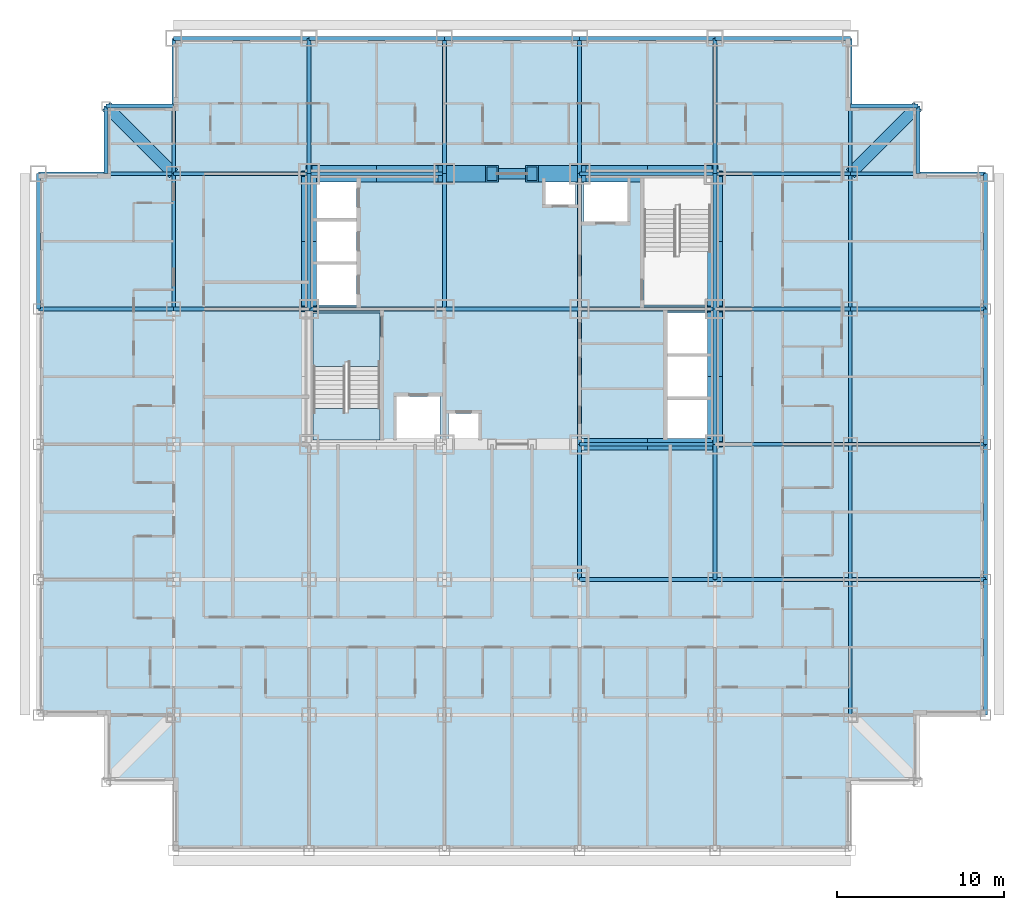
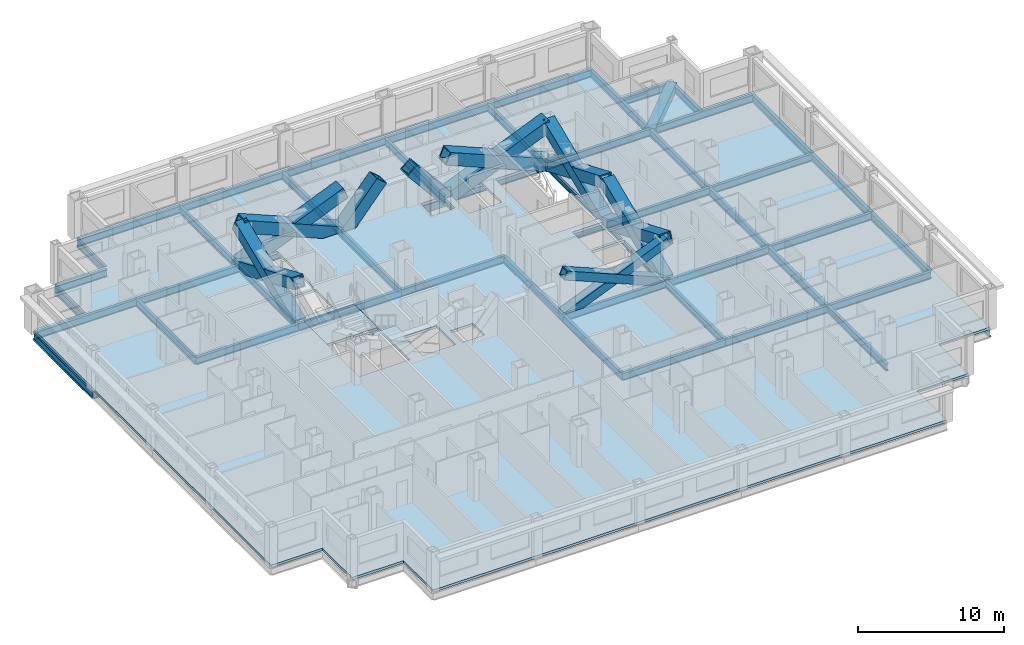
# One storey, part 2 of 12: 55 beams, 14 members, 3 slabs, 1 element without a shape of its own.
"""IFC4 building model written with IfcOpenShell, lengths in metres."""

from ifc_helpers import new_model, si_unit, direction, frame, origin, origin_2d, place, context, subcontext, project, spatial, polyline, hollow_rectangle, i_section, outline, extrude, material, layer, layer_set, material_profile, profile_set, type_object, element, aggregate, save


model = new_model("IFC4")

# Units and contexts
model_context = context("Model", 3, precision=1e-05, world=origin(), true_north=direction((0.0, 1.0)))
body_context = subcontext(model_context, "Body", "Model", "MODEL_VIEW")
ifc_project = project(units=[si_unit("LENGTHUNIT", "METRE"), si_unit("AREAUNIT", "SQUARE_METRE"), si_unit("VOLUMEUNIT", "CUBIC_METRE"), si_unit("PLANEANGLEUNIT", "RADIAN"), si_unit("MASSUNIT", "GRAM", prefix="KILO")], contexts=[model_context])

# Site, building, storey
site_placement = place(None, origin())
site = spatial("IfcSite", under=ifc_project, at=site_placement, CompositionType="ELEMENT")
building_placement = place(site_placement, origin())
building = spatial("IfcBuilding", under=site, at=building_placement, Name="Kopane Lantern Tower", CompositionType="ELEMENT")
storey_placement = place(building_placement, frame((0.0, 0.0, 70.39990234375)))
storey = spatial("IfcBuildingStorey", under=building, at=storey_placement, Name="L17", CompositionType="ELEMENT", Elevation=70.39990234375)

# Members
ifc_material_1 = material(Name="Steel S355JR", Category="steel")
ifc_material_profile_1 = material_profile(ifc_material_1, hollow_rectangle(XDim=1.0, YDim=1.0, WallThickness=0.10009765625, at=origin_2d()), Name="BOX 1000x1000x100")
ifc_profile_set_1 = profile_set([ifc_material_profile_1], Name="Steel S355JR")
member_type_1 = type_object("IfcMemberType", Name="BRACE BOX 1000x1000x100", PredefinedType="BRACE", material=ifc_profile_set_1)
for number, where, z_axis, x_axis, name in (
    (1, (16.199951171875, 40.5, -0.2099609375), (0.92205908274, 0.0, 0.387049154419), (0.0, 1.0, 0.0), "Core brace L17"),
    (2, (24.300048828125, 40.5, -0.2099609375), (-0.92205908274, 0.0, 0.387049154419), (0.0, -1.0, 0.0), "Core brace L17"),
):
    element("IfcMember", number, at=place(storey_placement, frame(where, z_axis=z_axis, x_axis=x_axis)), inside=storey, type_object=member_type_1, Name=name, PredefinedType="BRACE", context=body_context, shape_type="SweptSolid", body=[
        extrude(hollow_rectangle(XDim=1.0, YDim=1.0, WallThickness=0.10009765625, at=origin_2d()), origin(), (0.0, 0.0, 1.0), 8.784912109375),
    ])
for number, where, z_axis, x_axis, name in (
    (3, (24.300048828125, 40.5, -0.2099609375), (0.642363165114, 0.0, 0.766400394118), (0.0, 1.0, 0.0), "Core brace L17"),
    (4, (32.39990234375, 40.5, -0.2099609375), (-0.642363165114, 0.0, 0.766400394118), (0.0, -1.0, 0.0), "Core brace L17"),
):
    element("IfcMember", number, at=place(storey_placement, frame(where, z_axis=z_axis, x_axis=x_axis)), inside=storey, type_object=member_type_1, Name=name, PredefinedType="BRACE", context=body_context, shape_type="SweptSolid", body=[
        extrude(hollow_rectangle(XDim=1.0, YDim=1.0, WallThickness=0.10009765625, at=origin_2d()), origin(), (0.0, 0.0, 1.0), 4.4365234375),
    ])
for number, where, z_axis, x_axis, name in (
    (5, (32.39990234375, 40.5, -0.2099609375), (0.92205908274, 0.0, 0.387049154419), (0.0, 1.0, 0.0), "Core brace L17"),
    (6, (40.5, 40.5, -0.2099609375), (-0.92205908274, 0.0, 0.387049154419), (0.0, -1.0, 0.0), "Core brace L17"),
):
    element("IfcMember", number, at=place(storey_placement, frame(where, z_axis=z_axis, x_axis=x_axis)), inside=storey, type_object=member_type_1, Name=name, PredefinedType="BRACE", context=body_context, shape_type="SweptSolid", body=[
        extrude(hollow_rectangle(XDim=1.0, YDim=1.0, WallThickness=0.10009765625, at=origin_2d()), origin(), (0.0, 0.0, 1.0), 8.784912109375),
    ])
ifc_material_2 = material(Name="Steel S355JR", Category="steel")
ifc_material_profile_2 = material_profile(ifc_material_2, hollow_rectangle(XDim=0.699951171875, YDim=0.699951171875, WallThickness=0.06005859375, at=origin_2d()), Name="BOX 700x700x60")
ifc_profile_set_2 = profile_set([ifc_material_profile_2], Name="Steel S355JR")
member_type_2 = type_object("IfcMemberType", Name="BRACE BOX 700x700x60", PredefinedType="BRACE", material=ifc_profile_set_2)
for number, where, z_axis, x_axis, name in (
    (7, (32.39990234375, 24.300048828125, -0.2099609375), (0.92205908274, 0.0, 0.387049154419), (0.0, 1.0, 0.0), "Core brace L17"),
    (8, (40.5, 24.300048828125, -0.2099609375), (-0.92205908274, 0.0, 0.387049154419), (0.0, -1.0, 0.0), "Core brace L17"),
):
    element("IfcMember", number, at=place(storey_placement, frame(where, z_axis=z_axis, x_axis=x_axis)), inside=storey, type_object=member_type_2, Name=name, PredefinedType="BRACE", context=body_context, shape_type="SweptSolid", body=[
        extrude(hollow_rectangle(XDim=0.699951171875, YDim=0.699951171875, WallThickness=0.06005859375, at=origin_2d()), origin(), (0.0, 0.0, 1.0), 8.784912109375),
    ])
ifc_material_3 = material(Name="Steel S355JR", Category="steel")
ifc_material_profile_3 = material_profile(ifc_material_3, hollow_rectangle(XDim=0.89990234375, YDim=0.89990234375, WallThickness=0.090087890625, at=origin_2d()), Name="BOX 900x900x90")
ifc_profile_set_3 = profile_set([ifc_material_profile_3], Name="Steel S355JR")
member_type_3 = type_object("IfcMemberType", Name="BRACE BOX 900x900x90", PredefinedType="BRACE", material=ifc_profile_set_3)
for number, where, z_axis, x_axis, name in (
    (9, (16.199951171875, 32.39990234375, -0.2099609375), (0.0, 0.92205908274, 0.387049154419), (-1.0, 0.0, 0.0), "Core brace L17"),
    (10, (16.199951171875, 40.5, -0.2099609375), (0.0, -0.92205908274, 0.387049154419), (1.0, 0.0, 0.0), "Core brace L17"),
):
    element("IfcMember", number, at=place(storey_placement, frame(where, z_axis=z_axis, x_axis=x_axis)), inside=storey, type_object=member_type_3, Name=name, PredefinedType="BRACE", context=body_context, shape_type="SweptSolid", body=[
        extrude(hollow_rectangle(XDim=0.89990234375, YDim=0.89990234375, WallThickness=0.090087890625, at=origin_2d()), origin(), (0.0, 0.0, 1.0), 8.784912109375),
    ])
for number, where, z_axis, x_axis, name in (
    (11, (40.5, 24.300048828125, -0.2099609375), (0.0, 0.92205491925, 0.387059072864), (-1.0, 0.0, 0.0), "Core brace L17"),
    (12, (40.5, 32.39990234375, -0.2099609375), (0.0, -0.92205491925, 0.387059072864), (1.0, 0.0, 0.0), "Core brace L17"),
):
    element("IfcMember", number, at=place(storey_placement, frame(where, z_axis=z_axis, x_axis=x_axis)), inside=storey, type_object=member_type_3, Name=name, PredefinedType="BRACE", context=body_context, shape_type="SweptSolid", body=[
        extrude(hollow_rectangle(XDim=0.89990234375, YDim=0.89990234375, WallThickness=0.090087890625, at=origin_2d()), origin(), (0.0, 0.0, 1.0), 8.78466796875),
    ])
for number, where, z_axis, x_axis, name in (
    (13, (40.5, 32.39990234375, -0.2099609375), (0.0, 0.92205908274, 0.387049154419), (-1.0, 0.0, 0.0), "Core brace L17"),
    (14, (40.5, 40.5, -0.2099609375), (0.0, -0.92205908274, 0.387049154419), (1.0, 0.0, 0.0), "Core brace L17"),
):
    element("IfcMember", number, at=place(storey_placement, frame(where, z_axis=z_axis, x_axis=x_axis)), inside=storey, type_object=member_type_3, Name=name, PredefinedType="BRACE", context=body_context, shape_type="SweptSolid", body=[
        extrude(hollow_rectangle(XDim=0.89990234375, YDim=0.89990234375, WallThickness=0.090087890625, at=origin_2d()), origin(), (0.0, 0.0, 1.0), 8.784912109375),
    ])

# Beams
ifc_material_4 = material(Name="Steel S355JR", Category="steel")
ifc_material_profile_4 = material_profile(ifc_material_4, i_section(OverallWidth=0.22900390625, OverallDepth=0.6123046875, WebThickness=0.011962890625, FlangeThickness=0.01953125, FilletRadius=0.0126953125, at=origin_2d()), Name="UB 610x229x125")
ifc_profile_set_4 = profile_set([ifc_material_profile_4], Name="Steel S355JR")
beam_type_1 = type_object("IfcBeamType", Name="CORE BEAM UB 610x229x125", PredefinedType="BEAM", material=ifc_profile_set_4)
for number, where, z_axis, x_axis, name in (
    (15, (16.199951171875, 32.39990234375, -0.51611328125), (1.0, 0.0, 0.0), (0.0, 1.0, 0.0), "Core Beam L17"),
    (16, (24.300048828125, 32.39990234375, -0.51611328125), (0.0, 1.0, 0.0), (-1.0, 0.0, 0.0), "Core Beam L17"),
):
    element("IfcBeam", number, at=place(storey_placement, frame(where, z_axis=z_axis, x_axis=x_axis)), inside=storey, type_object=beam_type_1, Name=name, PredefinedType="BEAM", context=body_context, shape_type="SweptSolid", body=[
        extrude(i_section(OverallWidth=0.22900390625, OverallDepth=0.6123046875, WebThickness=0.011962890625, FlangeThickness=0.01953125, FilletRadius=0.0126953125, at=origin_2d()), origin(), (0.0, 0.0, 1.0), 8.10009765625),
    ])
for number, where, z_axis, x_axis, name in (
    (17, (24.300048828125, 32.39990234375, -0.51611328125), (1.0, 0.0, 0.0), (0.0, 1.0, 0.0), "Core Beam L17"),
    (18, (32.39990234375, 24.300048828125, -0.51611328125), (0.0, 1.0, 0.0), (-1.0, 0.0, 0.0), "Core Beam L17"),
):
    element("IfcBeam", number, at=place(storey_placement, frame(where, z_axis=z_axis, x_axis=x_axis)), inside=storey, type_object=beam_type_1, Name=name, PredefinedType="BEAM", context=body_context, shape_type="SweptSolid", body=[
        extrude(i_section(OverallWidth=0.22900390625, OverallDepth=0.6123046875, WebThickness=0.011962890625, FlangeThickness=0.01953125, FilletRadius=0.0126953125, at=origin_2d()), origin(), (0.0, 0.0, 1.0), 8.099853515625),
    ])
for number, where, z_axis, x_axis, name in (
    (19, (32.39990234375, 32.39990234375, -0.51611328125), (0.0, 1.0, 0.0), (-1.0, 0.0, 0.0), "Core Beam L17"),
    (20, (32.39990234375, 32.39990234375, -0.51611328125), (1.0, 0.0, 0.0), (0.0, 1.0, 0.0), "Core Beam L17"),
):
    element("IfcBeam", number, at=place(storey_placement, frame(where, z_axis=z_axis, x_axis=x_axis)), inside=storey, type_object=beam_type_1, Name=name, PredefinedType="BEAM", context=body_context, shape_type="SweptSolid", body=[
        extrude(i_section(OverallWidth=0.22900390625, OverallDepth=0.6123046875, WebThickness=0.011962890625, FlangeThickness=0.01953125, FilletRadius=0.0126953125, at=origin_2d()), origin(), (0.0, 0.0, 1.0), 8.10009765625),
    ])
ifc_material_5 = material(Name="Steel S355JR", Category="steel")
ifc_material_profile_5 = material_profile(ifc_material_5, hollow_rectangle(XDim=0.699951171875, YDim=0.699951171875, WallThickness=0.06005859375, at=origin_2d()), Name="BOX 700x700x60")
ifc_profile_set_5 = profile_set([ifc_material_profile_5], Name="Steel S355JR")
beam_type_2 = type_object("IfcBeamType", Name="CORNER TIE BEAM BOX 700x700x60", PredefinedType="BEAM", material=ifc_profile_set_5)
for number, where, z_axis, x_axis, name in (
    (21, (4.050048828125, 44.550048828125, -0.559814453125), (0.707106781187, -0.707106781187, 0.0), (0.707106781187, 0.707106781187, 0.0), "Corner Tie Beam L17"),
    (22, (52.64990234375, 44.550048828125, -0.559814453125), (-0.707085467703, -0.707128094028, 0.0), (0.707128094028, -0.707085467703, 0.0), "Corner Tie Beam L17"),
):
    element("IfcBeam", number, at=place(storey_placement, frame(where, z_axis=z_axis, x_axis=x_axis)), inside=storey, type_object=beam_type_2, Name=name, PredefinedType="BEAM", context=body_context, shape_type="SweptSolid", body=[
        extrude(hollow_rectangle(XDim=0.699951171875, YDim=0.699951171875, WallThickness=0.06005859375, at=origin_2d()), origin(), (0.0, 0.0, 1.0), 5.7275390625),
    ])
ifc_material_6 = material(Name="Steel S355JR", Category="steel")
ifc_material_profile_6 = material_profile(ifc_material_6, i_section(OverallWidth=0.22900390625, OverallDepth=0.6123046875, WebThickness=0.011962890625, FlangeThickness=0.01953125, FilletRadius=0.0126953125, at=origin_2d()), Name="UB 610x229x125")
ifc_profile_set_6 = profile_set([ifc_material_profile_6], Name="Steel S355JR")
beam_type_3 = type_object("IfcBeamType", Name="EDGE BEAM UB 610x229x125", PredefinedType="BEAM", material=ifc_profile_set_6)
for number, where, z_axis, x_axis, name in (
    (23, (4.050048828125, 44.550048828125, -0.51611328125), (0.0, -1.0, 0.0), (1.0, 0.0, 0.0), "Edge Beam L17"),
    (24, (4.050048828125, 44.550048828125, -0.51611328125), (1.0, 0.0, 0.0), (0.0, 1.0, 0.0), "Edge Beam L17"),
):
    element("IfcBeam", number, at=place(storey_placement, frame(where, z_axis=z_axis, x_axis=x_axis)), inside=storey, type_object=beam_type_3, Name=name, PredefinedType="BEAM", context=body_context, shape_type="SweptSolid", body=[
        extrude(i_section(OverallWidth=0.22900390625, OverallDepth=0.6123046875, WebThickness=0.011962890625, FlangeThickness=0.01953125, FilletRadius=0.0126953125, at=origin_2d()), origin(), (0.0, 0.0, 1.0), 4.050048828125),
    ])
beam_1_placement = place(storey_placement, frame((52.64990234375, 44.550048828125, -0.51611328125), z_axis=(-1.0, 0.0, 0.0), x_axis=(0.0, -1.0, 0.0)))
element("IfcBeam", 25, at=beam_1_placement, inside=storey, type_object=beam_type_3, Name="Edge Beam L17", PredefinedType="BEAM", context=body_context, shape_type="SweptSolid", body=[
    extrude(i_section(OverallWidth=0.22900390625, OverallDepth=0.6123046875, WebThickness=0.011962890625, FlangeThickness=0.01953125, FilletRadius=0.0126953125, at=origin_2d()), origin(), (0.0, 0.0, 1.0), 4.0498046875),
])
beam_2_placement = place(storey_placement, frame((52.64990234375, 44.550048828125, -0.51611328125), z_axis=(0.0, -1.0, 0.0), x_axis=(1.0, 0.0, 0.0)))
element("IfcBeam", 26, at=beam_2_placement, inside=storey, type_object=beam_type_3, Name="Edge Beam L17", PredefinedType="BEAM", context=body_context, shape_type="SweptSolid", body=[
    extrude(i_section(OverallWidth=0.22900390625, OverallDepth=0.6123046875, WebThickness=0.011962890625, FlangeThickness=0.01953125, FilletRadius=0.0126953125, at=origin_2d()), origin(), (0.0, 0.0, 1.0), 4.050048828125),
])
ifc_material_7 = material(Name="Steel S355JR", Category="steel")
ifc_material_profile_7 = material_profile(ifc_material_7, i_section(OverallWidth=0.22900390625, OverallDepth=0.6123046875, WebThickness=0.011962890625, FlangeThickness=0.01953125, FilletRadius=0.0126953125, at=origin_2d()), Name="UB 610x229x125")
ifc_profile_set_7 = profile_set([ifc_material_profile_7], Name="Steel S355JR")
beam_type_4 = type_object("IfcBeamType", Name="GIRDER UB 610x229x125", PredefinedType="BEAM", material=ifc_profile_set_7)
for number, where, z_axis, x_axis, name in (
    (27, (0.0, 32.39990234375, -0.51611328125), (0.0, 1.0, 0.0), (-1.0, 0.0, 0.0), "Girder L17"),
    (28, (0.0, 32.39990234375, -0.51611328125), (1.0, 0.0, 0.0), (0.0, 1.0, 0.0), "Girder L17"),
    (29, (0.0, 40.5, -0.51611328125), (1.0, 0.0, 0.0), (0.0, 1.0, 0.0), "Girder L17"),
    (30, (8.10009765625, 32.39990234375, -0.51611328125), (0.0, 1.0, 0.0), (-1.0, 0.0, 0.0), "Girder L17"),
):
    element("IfcBeam", number, at=place(storey_placement, frame(where, z_axis=z_axis, x_axis=x_axis)), inside=storey, type_object=beam_type_4, Name=name, PredefinedType="BEAM", context=body_context, shape_type="SweptSolid", body=[
        extrude(i_section(OverallWidth=0.22900390625, OverallDepth=0.6123046875, WebThickness=0.011962890625, FlangeThickness=0.01953125, FilletRadius=0.0126953125, at=origin_2d()), origin(), (0.0, 0.0, 1.0), 8.10009765625),
    ])
beam_3_placement = place(storey_placement, frame((8.10009765625, 32.39990234375, -0.51611328125), z_axis=(1.0, 0.0, 0.0), x_axis=(0.0, 1.0, 0.0)))
element("IfcBeam", 31, at=beam_3_placement, inside=storey, type_object=beam_type_4, Name="Girder L17", PredefinedType="BEAM", context=body_context, shape_type="SweptSolid", body=[
    extrude(i_section(OverallWidth=0.22900390625, OverallDepth=0.6123046875, WebThickness=0.011962890625, FlangeThickness=0.01953125, FilletRadius=0.0126953125, at=origin_2d()), origin(), (0.0, 0.0, 1.0), 8.099853515625),
])
beam_4_placement = place(storey_placement, frame((8.10009765625, 40.5, -0.51611328125), z_axis=(0.0, 1.0, 0.0), x_axis=(-1.0, 0.0, 0.0)))
element("IfcBeam", 32, at=beam_4_placement, inside=storey, type_object=beam_type_4, Name="Girder L17", PredefinedType="BEAM", context=body_context, shape_type="SweptSolid", body=[
    extrude(i_section(OverallWidth=0.22900390625, OverallDepth=0.6123046875, WebThickness=0.011962890625, FlangeThickness=0.01953125, FilletRadius=0.0126953125, at=origin_2d()), origin(), (0.0, 0.0, 1.0), 8.10009765625),
])
for number, where, z_axis, x_axis, name in (
    (33, (8.10009765625, 40.5, -0.51611328125), (1.0, 0.0, 0.0), (0.0, 1.0, 0.0), "Girder L17"),
    (34, (8.10009765625, 48.60009765625, -0.51611328125), (1.0, 0.0, 0.0), (0.0, 1.0, 0.0), "Girder L17"),
):
    element("IfcBeam", number, at=place(storey_placement, frame(where, z_axis=z_axis, x_axis=x_axis)), inside=storey, type_object=beam_type_4, Name=name, PredefinedType="BEAM", context=body_context, shape_type="SweptSolid", body=[
        extrude(i_section(OverallWidth=0.22900390625, OverallDepth=0.6123046875, WebThickness=0.011962890625, FlangeThickness=0.01953125, FilletRadius=0.0126953125, at=origin_2d()), origin(), (0.0, 0.0, 1.0), 8.099853515625),
    ])
for number, where, z_axis, x_axis, name in (
    (35, (16.199951171875, 32.39990234375, -0.51611328125), (0.0, 1.0, 0.0), (-1.0, 0.0, 0.0), "Girder L17"),
    (36, (16.199951171875, 40.5, -0.51611328125), (0.0, 1.0, 0.0), (-1.0, 0.0, 0.0), "Girder L17"),
    (37, (16.199951171875, 40.5, -0.51611328125), (1.0, 0.0, 0.0), (0.0, 1.0, 0.0), "Girder L17"),
    (38, (16.199951171875, 48.60009765625, -0.51611328125), (1.0, 0.0, 0.0), (0.0, 1.0, 0.0), "Girder L17"),
    (39, (24.300048828125, 40.5, -0.51611328125), (0.0, 1.0, 0.0), (-1.0, 0.0, 0.0), "Girder L17"),
):
    element("IfcBeam", number, at=place(storey_placement, frame(where, z_axis=z_axis, x_axis=x_axis)), inside=storey, type_object=beam_type_4, Name=name, PredefinedType="BEAM", context=body_context, shape_type="SweptSolid", body=[
        extrude(i_section(OverallWidth=0.22900390625, OverallDepth=0.6123046875, WebThickness=0.011962890625, FlangeThickness=0.01953125, FilletRadius=0.0126953125, at=origin_2d()), origin(), (0.0, 0.0, 1.0), 8.10009765625),
    ])
beam_5_placement = place(storey_placement, frame((24.300048828125, 48.60009765625, -0.51611328125), z_axis=(1.0, 0.0, 0.0), x_axis=(0.0, 1.0, 0.0)))
element("IfcBeam", 40, at=beam_5_placement, inside=storey, type_object=beam_type_4, Name="Girder L17", PredefinedType="BEAM", context=body_context, shape_type="SweptSolid", body=[
    extrude(i_section(OverallWidth=0.22900390625, OverallDepth=0.6123046875, WebThickness=0.011962890625, FlangeThickness=0.01953125, FilletRadius=0.0126953125, at=origin_2d()), origin(), (0.0, 0.0, 1.0), 8.099853515625),
])
for number, where, z_axis, x_axis, name in (
    (41, (32.39990234375, 16.199951171875, -0.51611328125), (0.0, 1.0, 0.0), (-1.0, 0.0, 0.0), "Girder L17"),
    (42, (32.39990234375, 16.199951171875, -0.51611328125), (1.0, 0.0, 0.0), (0.0, 1.0, 0.0), "Girder L17"),
    (43, (32.39990234375, 24.300048828125, -0.51611328125), (1.0, 0.0, 0.0), (0.0, 1.0, 0.0), "Girder L17"),
    (44, (32.39990234375, 40.5, -0.51611328125), (0.0, 1.0, 0.0), (-1.0, 0.0, 0.0), "Girder L17"),
    (45, (32.39990234375, 40.5, -0.51611328125), (1.0, 0.0, 0.0), (0.0, 1.0, 0.0), "Girder L17"),
    (46, (32.39990234375, 48.60009765625, -0.51611328125), (1.0, 0.0, 0.0), (0.0, 1.0, 0.0), "Girder L17"),
    (47, (40.5, 16.199951171875, -0.51611328125), (0.0, 1.0, 0.0), (-1.0, 0.0, 0.0), "Girder L17"),
    (48, (40.5, 16.199951171875, -0.51611328125), (1.0, 0.0, 0.0), (0.0, 1.0, 0.0), "Girder L17"),
):
    element("IfcBeam", number, at=place(storey_placement, frame(where, z_axis=z_axis, x_axis=x_axis)), inside=storey, type_object=beam_type_4, Name=name, PredefinedType="BEAM", context=body_context, shape_type="SweptSolid", body=[
        extrude(i_section(OverallWidth=0.22900390625, OverallDepth=0.6123046875, WebThickness=0.011962890625, FlangeThickness=0.01953125, FilletRadius=0.0126953125, at=origin_2d()), origin(), (0.0, 0.0, 1.0), 8.10009765625),
    ])
beam_6_placement = place(storey_placement, frame((40.5, 24.300048828125, -0.51611328125), z_axis=(0.0, 1.0, 0.0), x_axis=(-1.0, 0.0, 0.0)))
element("IfcBeam", 49, at=beam_6_placement, inside=storey, type_object=beam_type_4, Name="Girder L17", PredefinedType="BEAM", context=body_context, shape_type="SweptSolid", body=[
    extrude(i_section(OverallWidth=0.22900390625, OverallDepth=0.6123046875, WebThickness=0.011962890625, FlangeThickness=0.01953125, FilletRadius=0.0126953125, at=origin_2d()), origin(), (0.0, 0.0, 1.0), 8.099853515625),
])
for number, where, z_axis, x_axis, name in (
    (50, (40.5, 24.300048828125, -0.51611328125), (1.0, 0.0, 0.0), (0.0, 1.0, 0.0), "Girder L17"),
    (51, (40.5, 32.39990234375, -0.51611328125), (0.0, 1.0, 0.0), (-1.0, 0.0, 0.0), "Girder L17"),
    (52, (40.5, 32.39990234375, -0.51611328125), (1.0, 0.0, 0.0), (0.0, 1.0, 0.0), "Girder L17"),
    (53, (40.5, 40.5, -0.51611328125), (0.0, 1.0, 0.0), (-1.0, 0.0, 0.0), "Girder L17"),
    (54, (40.5, 40.5, -0.51611328125), (1.0, 0.0, 0.0), (0.0, 1.0, 0.0), "Girder L17"),
    (55, (40.5, 48.60009765625, -0.51611328125), (1.0, 0.0, 0.0), (0.0, 1.0, 0.0), "Girder L17"),
):
    element("IfcBeam", number, at=place(storey_placement, frame(where, z_axis=z_axis, x_axis=x_axis)), inside=storey, type_object=beam_type_4, Name=name, PredefinedType="BEAM", context=body_context, shape_type="SweptSolid", body=[
        extrude(i_section(OverallWidth=0.22900390625, OverallDepth=0.6123046875, WebThickness=0.011962890625, FlangeThickness=0.01953125, FilletRadius=0.0126953125, at=origin_2d()), origin(), (0.0, 0.0, 1.0), 8.10009765625),
    ])
beam_7_placement = place(storey_placement, frame((48.60009765625, 8.10009765625, -0.51611328125), z_axis=(0.0, 1.0, 0.0), x_axis=(-1.0, 0.0, 0.0)))
element("IfcBeam", 56, at=beam_7_placement, inside=storey, type_object=beam_type_4, Name="Girder L17", PredefinedType="BEAM", context=body_context, shape_type="SweptSolid", body=[
    extrude(i_section(OverallWidth=0.22900390625, OverallDepth=0.6123046875, WebThickness=0.011962890625, FlangeThickness=0.01953125, FilletRadius=0.0126953125, at=origin_2d()), origin(), (0.0, 0.0, 1.0), 8.099853515625),
])
beam_8_placement = place(storey_placement, frame((48.60009765625, 16.199951171875, -0.51611328125), z_axis=(0.0, 1.0, 0.0), x_axis=(-1.0, 0.0, 0.0)))
element("IfcBeam", 57, at=beam_8_placement, inside=storey, type_object=beam_type_4, Name="Girder L17", PredefinedType="BEAM", context=body_context, shape_type="SweptSolid", body=[
    extrude(i_section(OverallWidth=0.22900390625, OverallDepth=0.6123046875, WebThickness=0.011962890625, FlangeThickness=0.01953125, FilletRadius=0.0126953125, at=origin_2d()), origin(), (0.0, 0.0, 1.0), 8.10009765625),
])
for number, where, z_axis, x_axis, name in (
    (58, (48.60009765625, 16.199951171875, -0.51611328125), (1.0, 0.0, 0.0), (0.0, 1.0, 0.0), "Girder L17"),
    (59, (48.60009765625, 24.300048828125, -0.51611328125), (0.0, 1.0, 0.0), (-1.0, 0.0, 0.0), "Girder L17"),
    (60, (48.60009765625, 24.300048828125, -0.51611328125), (1.0, 0.0, 0.0), (0.0, 1.0, 0.0), "Girder L17"),
):
    element("IfcBeam", number, at=place(storey_placement, frame(where, z_axis=z_axis, x_axis=x_axis)), inside=storey, type_object=beam_type_4, Name=name, PredefinedType="BEAM", context=body_context, shape_type="SweptSolid", body=[
        extrude(i_section(OverallWidth=0.22900390625, OverallDepth=0.6123046875, WebThickness=0.011962890625, FlangeThickness=0.01953125, FilletRadius=0.0126953125, at=origin_2d()), origin(), (0.0, 0.0, 1.0), 8.099853515625),
    ])
beam_9_placement = place(storey_placement, frame((48.60009765625, 32.39990234375, -0.51611328125), z_axis=(0.0, 1.0, 0.0), x_axis=(-1.0, 0.0, 0.0)))
element("IfcBeam", 61, at=beam_9_placement, inside=storey, type_object=beam_type_4, Name="Girder L17", PredefinedType="BEAM", context=body_context, shape_type="SweptSolid", body=[
    extrude(i_section(OverallWidth=0.22900390625, OverallDepth=0.6123046875, WebThickness=0.011962890625, FlangeThickness=0.01953125, FilletRadius=0.0126953125, at=origin_2d()), origin(), (0.0, 0.0, 1.0), 8.10009765625),
])
beam_10_placement = place(storey_placement, frame((48.60009765625, 32.39990234375, -0.51611328125), z_axis=(1.0, 0.0, 0.0), x_axis=(0.0, 1.0, 0.0)))
element("IfcBeam", 62, at=beam_10_placement, inside=storey, type_object=beam_type_4, Name="Girder L17", PredefinedType="BEAM", context=body_context, shape_type="SweptSolid", body=[
    extrude(i_section(OverallWidth=0.22900390625, OverallDepth=0.6123046875, WebThickness=0.011962890625, FlangeThickness=0.01953125, FilletRadius=0.0126953125, at=origin_2d()), origin(), (0.0, 0.0, 1.0), 8.099853515625),
])
beam_11_placement = place(storey_placement, frame((48.60009765625, 40.5, -0.51611328125), z_axis=(0.0, 1.0, 0.0), x_axis=(-1.0, 0.0, 0.0)))
element("IfcBeam", 63, at=beam_11_placement, inside=storey, type_object=beam_type_4, Name="Girder L17", PredefinedType="BEAM", context=body_context, shape_type="SweptSolid", body=[
    extrude(i_section(OverallWidth=0.22900390625, OverallDepth=0.6123046875, WebThickness=0.011962890625, FlangeThickness=0.01953125, FilletRadius=0.0126953125, at=origin_2d()), origin(), (0.0, 0.0, 1.0), 8.10009765625),
])
for number, where, z_axis, x_axis, name in (
    (64, (48.60009765625, 40.5, -0.51611328125), (1.0, 0.0, 0.0), (0.0, 1.0, 0.0), "Girder L17"),
    (65, (56.699951171875, 8.10009765625, -0.51611328125), (0.0, 1.0, 0.0), (-1.0, 0.0, 0.0), "Girder L17"),
):
    element("IfcBeam", number, at=place(storey_placement, frame(where, z_axis=z_axis, x_axis=x_axis)), inside=storey, type_object=beam_type_4, Name=name, PredefinedType="BEAM", context=body_context, shape_type="SweptSolid", body=[
        extrude(i_section(OverallWidth=0.22900390625, OverallDepth=0.6123046875, WebThickness=0.011962890625, FlangeThickness=0.01953125, FilletRadius=0.0126953125, at=origin_2d()), origin(), (0.0, 0.0, 1.0), 8.099853515625),
    ])
beam_12_placement = place(storey_placement, frame((56.699951171875, 16.199951171875, -0.51611328125), z_axis=(0.0, 1.0, 0.0), x_axis=(-1.0, 0.0, 0.0)))
element("IfcBeam", 66, at=beam_12_placement, inside=storey, type_object=beam_type_4, Name="Girder L17", PredefinedType="BEAM", context=body_context, shape_type="SweptSolid", body=[
    extrude(i_section(OverallWidth=0.22900390625, OverallDepth=0.6123046875, WebThickness=0.011962890625, FlangeThickness=0.01953125, FilletRadius=0.0126953125, at=origin_2d()), origin(), (0.0, 0.0, 1.0), 8.10009765625),
])
beam_13_placement = place(storey_placement, frame((56.699951171875, 24.300048828125, -0.51611328125), z_axis=(0.0, 1.0, 0.0), x_axis=(-1.0, 0.0, 0.0)))
element("IfcBeam", 67, at=beam_13_placement, inside=storey, type_object=beam_type_4, Name="Girder L17", PredefinedType="BEAM", context=body_context, shape_type="SweptSolid", body=[
    extrude(i_section(OverallWidth=0.22900390625, OverallDepth=0.6123046875, WebThickness=0.011962890625, FlangeThickness=0.01953125, FilletRadius=0.0126953125, at=origin_2d()), origin(), (0.0, 0.0, 1.0), 8.099853515625),
])
beam_14_placement = place(storey_placement, frame((56.699951171875, 32.39990234375, -0.51611328125), z_axis=(0.0, 1.0, 0.0), x_axis=(-1.0, 0.0, 0.0)))
element("IfcBeam", 68, at=beam_14_placement, inside=storey, type_object=beam_type_4, Name="Girder L17", PredefinedType="BEAM", context=body_context, shape_type="SweptSolid", body=[
    extrude(i_section(OverallWidth=0.22900390625, OverallDepth=0.6123046875, WebThickness=0.011962890625, FlangeThickness=0.01953125, FilletRadius=0.0126953125, at=origin_2d()), origin(), (0.0, 0.0, 1.0), 8.10009765625),
])
ifc_material_8 = material(Name="Steel S355JR", Category="steel")
ifc_material_profile_8 = material_profile(ifc_material_8, hollow_rectangle(XDim=0.64990234375, YDim=0.64990234375, WallThickness=0.070068359375, at=origin_2d()), Name="BOX 650x650x70")
ifc_profile_set_8 = profile_set([ifc_material_profile_8], Name="Steel S355JR")
beam_type_5 = type_object("IfcBeamType", Name="LINK BEAM BOX 650x650x70", PredefinedType="BEAM", material=ifc_profile_set_8)
beam_15_placement = place(storey_placement, frame((24.300048828125, 40.5, -0.534912109375), z_axis=(1.0, 0.0, 0.0), x_axis=(0.0, 1.0, 0.0)))
element("IfcBeam", 69, at=beam_15_placement, inside=storey, type_object=beam_type_5, Name="Link Beam L17", PredefinedType="BEAM", context=body_context, shape_type="SweptSolid", body=[
    extrude(hollow_rectangle(XDim=0.64990234375, YDim=0.64990234375, WallThickness=0.070068359375, at=origin_2d()), origin(), (0.0, 0.0, 1.0), 8.099853515625),
])

# Slab
ifc_material_9 = material(Name="Concrete C40/50", Category="concrete")
ifc_layer_1 = layer(ifc_material_9, 0.2099609375)
ifc_layer_set_1 = layer_set([ifc_layer_1], Name="SLAB 210 COMPOSITE")
slab_type_1 = type_object("IfcSlabType", Name="SLAB 210 COMPOSITE", PredefinedType="FLOOR", material=ifc_layer_set_1)
slab_1_placement = place(storey_placement, frame((0.0, 0.0, -0.2099609375)))
element("IfcSlab", 70, at=slab_1_placement, inside=storey, type_object=slab_type_1, Name="Floor slab L17", PredefinedType="FLOOR", context=body_context, shape_type="SweptSolid", body=[
    extrude(outline(polyline([(8.10009765625, 0.0), (48.60009765625, 0.0), (48.60009765625, 4.050048828125), (52.64990234375, 4.050048828125), (52.64990234375, 8.10009765625), (56.699951171875, 8.10009765625), (56.699951171875, 40.5), (52.64990234375, 40.5), (52.64990234375, 44.550048828125), (48.60009765625, 44.550048828125), (48.60009765625, 48.60009765625), (8.10009765625, 48.60009765625), (8.10009765625, 44.550048828125), (4.050048828125, 44.550048828125), (4.050048828125, 40.5), (0.0, 40.5), (0.0, 8.10009765625), (4.050048828125, 8.10009765625), (4.050048828125, 4.050048828125), (8.10009765625, 4.050048828125), (8.10009765625, 0.0)]), holes=[polyline([(16.449951171875, 24.550048828125), (20.449951171875, 24.550048828125), (20.449951171875, 32.14990234375), (16.449951171875, 32.14990234375), (16.449951171875, 24.550048828125)]), polyline([(36.25, 32.64990234375), (40.25, 32.64990234375), (40.25, 40.25), (36.25, 40.25), (36.25, 32.64990234375)]), polyline([(16.449951171875, 32.64990234375), (19.050048828125, 32.64990234375), (19.050048828125, 35.050048828125), (16.449951171875, 35.050048828125), (16.449951171875, 32.64990234375)]), polyline([(16.449951171875, 35.25), (19.050048828125, 35.25), (19.050048828125, 37.64990234375), (16.449951171875, 37.64990234375), (16.449951171875, 35.25)]), polyline([(16.449951171875, 37.85009765625), (19.050048828125, 37.85009765625), (19.050048828125, 40.25), (16.449951171875, 40.25), (16.449951171875, 37.85009765625)]), polyline([(37.64990234375, 24.550048828125), (40.25, 24.550048828125), (40.25, 26.949951171875), (37.64990234375, 26.949951171875), (37.64990234375, 24.550048828125)]), polyline([(37.64990234375, 27.14990234375), (40.25, 27.14990234375), (40.25, 29.550048828125), (37.64990234375, 29.550048828125), (37.64990234375, 27.14990234375)]), polyline([(37.64990234375, 29.75), (40.25, 29.75), (40.25, 32.14990234375), (37.64990234375, 32.14990234375), (37.64990234375, 29.75)]), polyline([(21.449951171875, 24.550048828125), (24.050048828125, 24.550048828125), (24.050048828125, 27.14990234375), (21.449951171875, 27.14990234375), (21.449951171875, 24.550048828125)]), polyline([(32.64990234375, 37.64990234375), (35.25, 37.64990234375), (35.25, 40.25), (32.64990234375, 40.25), (32.64990234375, 37.64990234375)]), polyline([(24.550048828125, 24.550048828125), (26.35009765625, 24.550048828125), (26.35009765625, 26.14990234375), (24.550048828125, 26.14990234375), (24.550048828125, 24.550048828125)]), polyline([(30.35009765625, 38.64990234375), (32.14990234375, 38.64990234375), (32.14990234375, 40.25), (30.35009765625, 40.25), (30.35009765625, 38.64990234375)])]), origin(), (0.0, 0.0, 1.0), 0.2099609375),
])

# Stair, slabs
ifc_material_10 = material(Name="Steel S355JR", Category="steel")
stair_type = type_object("IfcStairType", Name="EXIT STAIR 1900 HALF TURN", PredefinedType="HALF_TURN_STAIR", material=ifc_material_10)
stair_placement = place(storey_placement, origin())
stair = element("IfcStair", 71, at=stair_placement, inside=storey, type_object=stair_type, Name="Exit stair ST1 L17", PredefinedType="HALF_TURN_STAIR")
ifc_material_11 = material(Name="Concrete C40/50", Category="concrete")
ifc_layer_2 = layer(ifc_material_11, 0.199951171875)
ifc_layer_set_2 = layer_set([ifc_layer_2], Name="STAIR LANDING 200")
slab_type_2 = type_object("IfcSlabType", Name="STAIR LANDING 200", PredefinedType="LANDING", material=ifc_layer_set_2)
slab_2_placement = place(storey_placement, frame((0.0, 0.0, -0.199951171875)))
slab_2 = element("IfcSlab", 72, at=slab_2_placement, type_object=slab_type_2, Name="ST1 landing 1", PredefinedType="LANDING", context=body_context, shape_type="SweptSolid", body=[
    extrude(outline(polyline([(18.35009765625, 29.25), (18.550048828125, 29.25), (18.550048828125, 28.969970703125), (20.449951171875, 28.969970703125), (20.449951171875, 32.14990234375), (16.449951171875, 32.14990234375), (16.449951171875, 28.969970703125), (18.35009765625, 28.969970703125), (18.35009765625, 29.25)])), origin(), (0.0, 0.0, 1.0), 0.199951171875),
])
slab_3_placement = place(storey_placement, frame((0.0, 0.0, 1.5)))
slab_3 = element("IfcSlab", 73, at=slab_3_placement, type_object=slab_type_2, Name="ST1 landing 2", PredefinedType="LANDING", context=body_context, shape_type="SweptSolid", body=[
    extrude(outline(polyline([(20.449951171875, 26.449951171875), (18.550048828125, 26.449951171875), (18.550048828125, 26.169921875), (18.35009765625, 26.169921875), (18.35009765625, 26.449951171875), (16.449951171875, 26.449951171875), (16.449951171875, 24.550048828125), (20.449951171875, 24.550048828125), (20.449951171875, 26.449951171875)])), origin(), (0.0, 0.0, 1.0), 0.2001953125),
])
aggregate(stair, [slab_2, slab_3])

save(model, "model.ifc")
